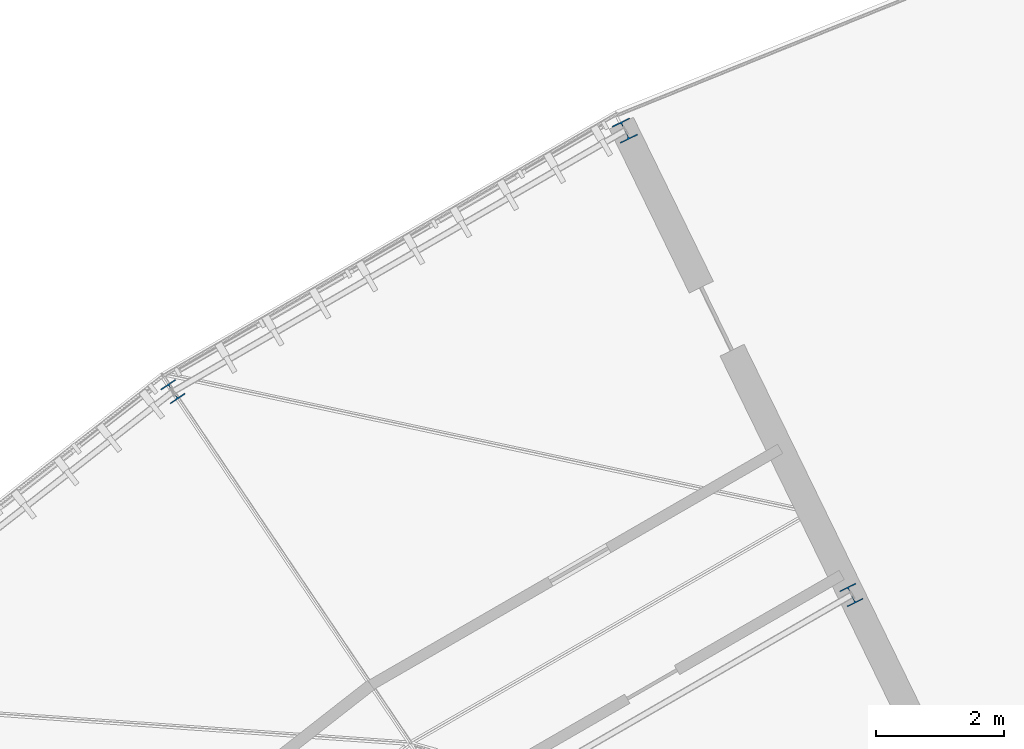
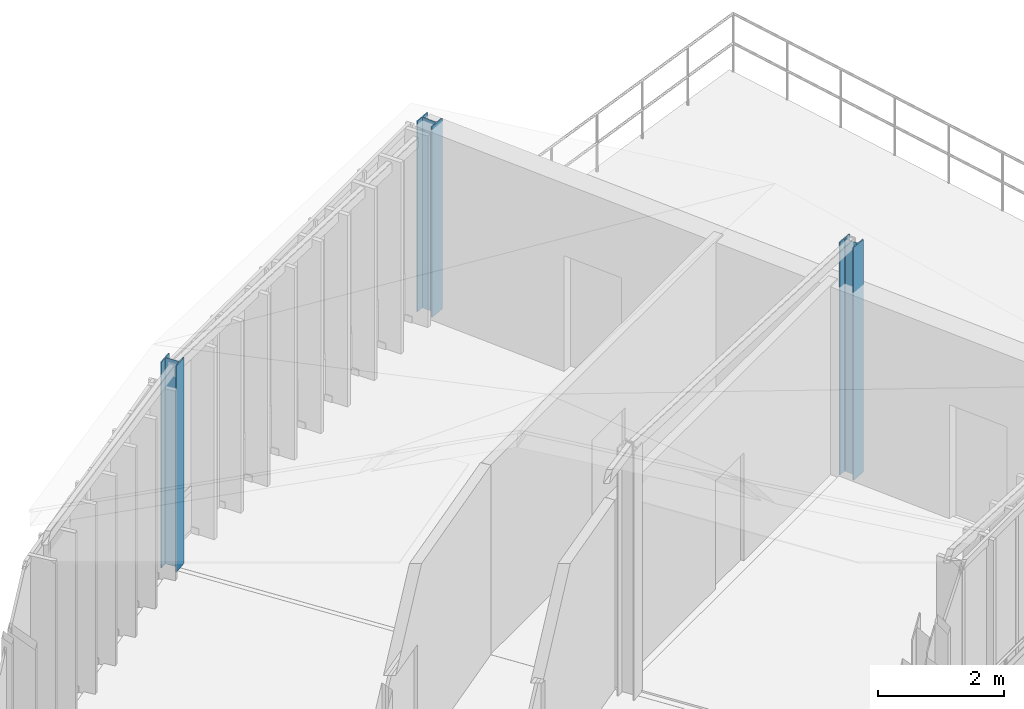
# One storey, part 3 of 25: 3 columns.
"""IFC4 building model written with IfcOpenShell, lengths in metres."""

from ifc_helpers import new_model, si_unit, direction, frame, origin, origin_2d, place, context, subcontext, project, spatial, i_section, extrude, material, material_profile, profile_set, type_object, element, save


model = new_model("IFC4")

# Units and contexts
model_context = context("Model", 3, precision=1e-05, world=origin(), true_north=direction((0.0, 1.0)))
body_context = subcontext(model_context, "Body", "Model", "MODEL_VIEW")
ifc_project = project(units=[si_unit("LENGTHUNIT", "METRE"), si_unit("AREAUNIT", "SQUARE_METRE"), si_unit("VOLUMEUNIT", "CUBIC_METRE"), si_unit("PLANEANGLEUNIT", "RADIAN"), si_unit("MASSUNIT", "GRAM", prefix="KILO"), si_unit("THERMODYNAMICTEMPERATUREUNIT", "KELVIN"), si_unit("POWERUNIT", "WATT")], contexts=[model_context])

# Site, building, storey
site_placement = place(None, origin())
site = spatial("IfcSite", under=ifc_project, at=site_placement, CompositionType="ELEMENT")
building_placement = place(site_placement, origin())
building = spatial("IfcBuilding", under=site, at=building_placement, Name="Solvatero Civic Police Headquarters", CompositionType="ELEMENT")
storey_placement = place(building_placement, frame((0.0, 0.0, 25.5)))
storey = spatial("IfcBuildingStorey", under=building, at=storey_placement, Name="L06", CompositionType="ELEMENT", Elevation=25.5)

# Columns
ifc_material = material(Name="Steel S355", Category="steel")
ifc_material_profile_1 = material_profile(ifc_material, i_section(OverallWidth=0.280029296875, OverallDepth=0.280029296875, WebThickness=0.010498046875, FlangeThickness=0.01806640625, FilletRadius=0.02392578125, at=origin_2d()), Name="HEB 280")
ifc_profile_set_1 = profile_set([ifc_material_profile_1], Name="Steel S355")
column_type_1 = type_object("IfcColumnType", Name="COL-ST-HEB280", PredefinedType="COLUMN", material=ifc_profile_set_1)
column_1_placement = place(storey_placement, frame((71.84033203125, 71.43408203125, 0.0), z_axis=(0.0, 0.0, 1.0), x_axis=(0.898794046299, 0.438371146789, 0.0)))
element("IfcColumn", 1, at=column_1_placement, inside=storey, type_object=column_type_1, Name="Column ARC-S04-MID L06", PredefinedType="COLUMN", context=body_context, shape_type="SweptSolid", body=[
    extrude(i_section(OverallWidth=0.280029296875, OverallDepth=0.280029296875, WebThickness=0.010498046875, FlangeThickness=0.01806640625, FilletRadius=0.02392578125, at=origin_2d()), origin(), (0.0, 0.0, 1.0), 4.522216796875),
])
column_2_placement = place(storey_placement, frame((61.203369140625, 74.623046875, 0.0), z_axis=(0.0, 0.0, 1.0), x_axis=(0.829037572555, 0.559192903471, 0.0)))
element("IfcColumn", 2, at=column_2_placement, inside=storey, type_object=column_type_1, Name="Column ARC-S05-OUT L06", PredefinedType="COLUMN", context=body_context, shape_type="SweptSolid", body=[
    extrude(i_section(OverallWidth=0.280029296875, OverallDepth=0.280029296875, WebThickness=0.010498046875, FlangeThickness=0.01806640625, FilletRadius=0.02392578125, at=origin_2d()), origin(), (0.0, 0.0, 1.0), 4.0048828125),
])
ifc_material_profile_2 = material_profile(ifc_material, i_section(OverallWidth=0.300048828125, OverallDepth=0.300048828125, WebThickness=0.010986328125, FlangeThickness=0.01904296875, FilletRadius=0.027099609375, at=origin_2d()), Name="HEB 300")
ifc_profile_set_2 = profile_set([ifc_material_profile_2], Name="Steel S355")
column_type_2 = type_object("IfcColumnType", Name="COL-ST-HEB300", PredefinedType="COLUMN", material=ifc_profile_set_2)
column_3_placement = place(storey_placement, frame((68.28955078125, 78.71435546875, 0.0), z_axis=(0.0, 0.0, 1.0), x_axis=(0.898794046299, 0.438371146789, 0.0)))
element("IfcColumn", 3, at=column_3_placement, inside=storey, type_object=column_type_2, Name="Column ARC-S04-OUT L06", PredefinedType="COLUMN", context=body_context, shape_type="SweptSolid", body=[
    extrude(i_section(OverallWidth=0.300048828125, OverallDepth=0.300048828125, WebThickness=0.010986328125, FlangeThickness=0.01904296875, FilletRadius=0.027099609375, at=origin_2d()), origin(), (0.0, 0.0, 1.0), 3.705078125),
])

save(model, "model.ifc")
